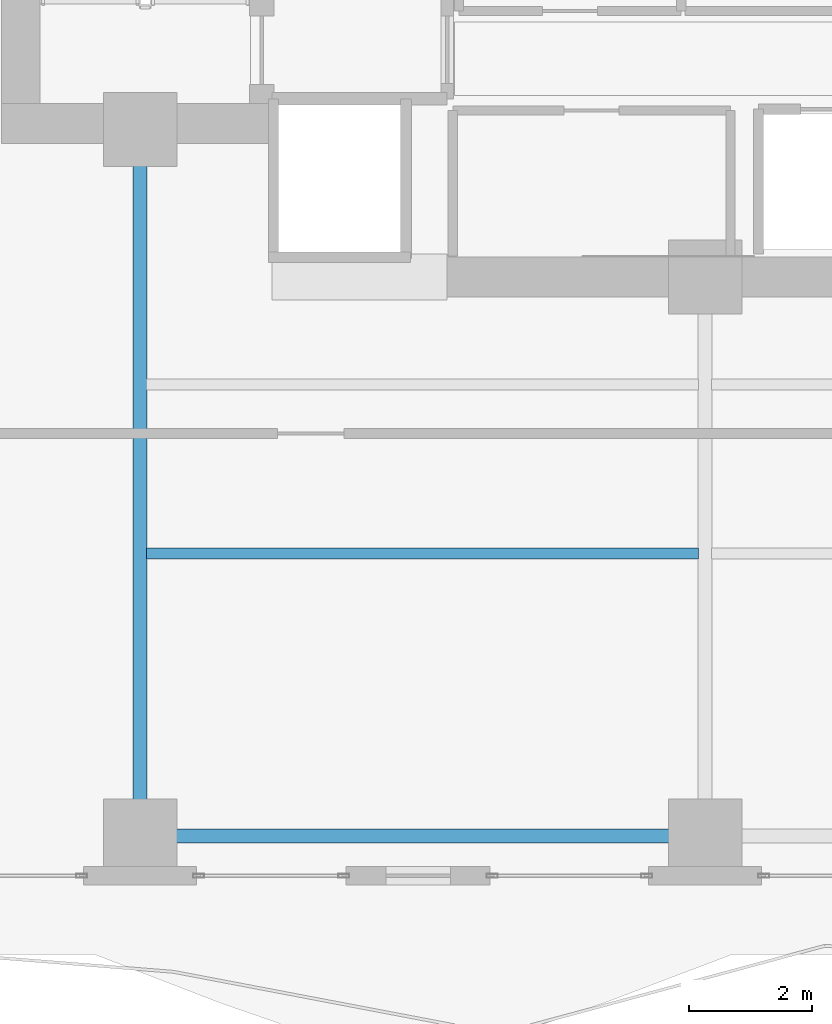
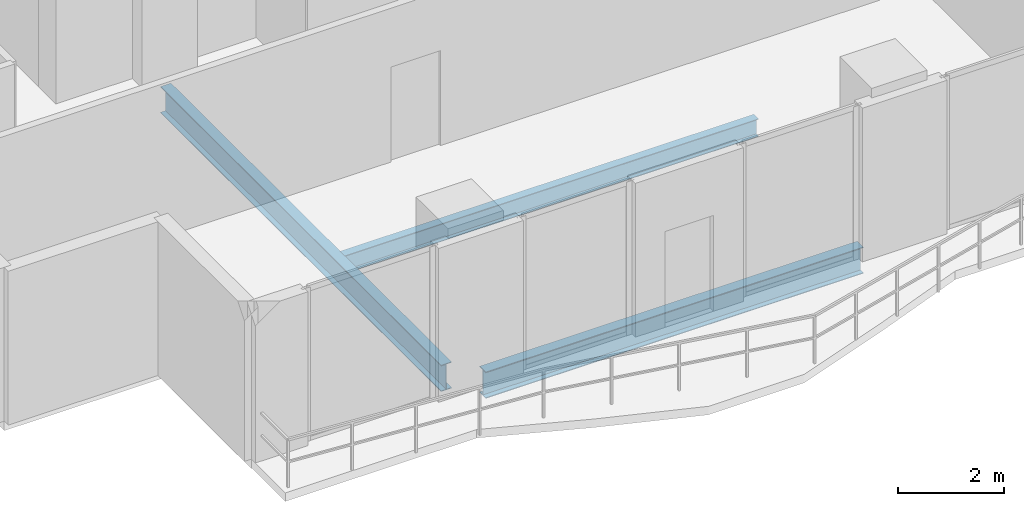
# One storey, part 3 of 32: 3 beams.
"""IFC4 building model written with IfcOpenShell, lengths in metres."""

from ifc_helpers import new_model, si_unit, direction, frame, origin, origin_2d, place, context, subcontext, project, spatial, i_section, extrude, material, material_profile, profile_set, type_object, element, save


model = new_model("IFC4")

# Units and contexts
model_context = context("Model", 3, precision=1e-05, world=origin(), true_north=direction((0.0, 1.0)))
body_context = subcontext(model_context, "Body", "Model", "MODEL_VIEW")
ifc_project = project(units=[si_unit("LENGTHUNIT", "METRE"), si_unit("AREAUNIT", "SQUARE_METRE"), si_unit("VOLUMEUNIT", "CUBIC_METRE"), si_unit("PLANEANGLEUNIT", "RADIAN"), si_unit("MASSUNIT", "GRAM", prefix="KILO")], contexts=[model_context])

# Site, building, storey
site_placement = place(None, origin())
site = spatial("IfcSite", under=ifc_project, at=site_placement, CompositionType="ELEMENT")
building_placement = place(site_placement, origin())
building = spatial("IfcBuilding", under=site, at=building_placement, Name="Zuhayl Quay Hotel", CompositionType="ELEMENT")
storey_placement = place(building_placement, frame((0.0, 0.0, 218.64990234375)))
storey = spatial("IfcBuildingStorey", under=building, at=storey_placement, Name="L55", CompositionType="ELEMENT", Elevation=218.64990234375)

# Beams
ifc_material = material(Name="Steel ASTM A992 Grade 50", Category="steel")
ifc_material_profile_1 = material_profile(ifc_material, i_section(OverallWidth=0.22802734375, OverallDepth=0.60693359375, WebThickness=0.01123046875, FlangeThickness=0.017333984375, at=origin_2d()), Name="W24X76")
ifc_profile_set_1 = profile_set([ifc_material_profile_1], Name="Steel ASTM A992 Grade 50")
beam_type_1 = type_object("IfcBeamType", Name="BM_B3_W24X76", PredefinedType="BEAM", material=ifc_profile_set_1)
beam_1_placement = place(storey_placement, frame((-13.300048828125, -6.949951171875, -0.5234375), z_axis=(1.0, 0.0, 0.0), x_axis=(0.0, 1.0, 0.0)))
element("IfcBeam", 1, at=beam_1_placement, inside=storey, type_object=beam_type_1, Name="L55 Floor Beam RG_L55_01", PredefinedType="BEAM", context=body_context, shape_type="SweptSolid", body=[
    extrude(i_section(OverallWidth=0.22802734375, OverallDepth=0.60693359375, WebThickness=0.01123046875, FlangeThickness=0.017333984375, at=origin_2d()), origin(), (0.0, 0.0, 1.0), 8.199951171875),
])
beam_2_placement = place(storey_placement, frame((-13.800048828125, -6.449951171875, -0.5234375), z_axis=(0.0, 1.0, 0.0), x_axis=(-1.0, 0.0, 0.0)))
element("IfcBeam", 2, at=beam_2_placement, inside=storey, type_object=beam_type_1, Name="L55 Floor Beam FG_S_L55_1", PredefinedType="BEAM", context=body_context, shape_type="SweptSolid", body=[
    extrude(i_section(OverallWidth=0.22802734375, OverallDepth=0.60693359375, WebThickness=0.01123046875, FlangeThickness=0.017333984375, at=origin_2d()), origin(), (0.0, 0.0, 1.0), 10.550048828125),
])
ifc_material_profile_2 = material_profile(ifc_material, i_section(OverallWidth=0.177978515625, OverallDepth=0.406005859375, WebThickness=0.0078125, FlangeThickness=0.0126953125, at=origin_2d()), Name="W16X40")
ifc_profile_set_2 = profile_set([ifc_material_profile_2], Name="Steel ASTM A992 Grade 50")
beam_type_2 = type_object("IfcBeamType", Name="BM_J2B_W16X40", PredefinedType="JOIST", material=ifc_profile_set_2)
beam_3_placement = place(storey_placement, frame((-13.694091796875, -2.35009765625, -0.4228515625), z_axis=(1.0, 0.0, 0.0), x_axis=(0.0, 1.0, 0.0)))
element("IfcBeam", 3, at=beam_3_placement, inside=storey, type_object=beam_type_2, Name="L55 Floor Beam FJ_L55_7_1", PredefinedType="JOIST", context=body_context, shape_type="SweptSolid", body=[
    extrude(i_section(OverallWidth=0.177978515625, OverallDepth=0.406005859375, WebThickness=0.0078125, FlangeThickness=0.0126953125, at=origin_2d()), origin(), (0.0, 0.0, 1.0), 8.988037109375),
])

save(model, "model.ifc")
